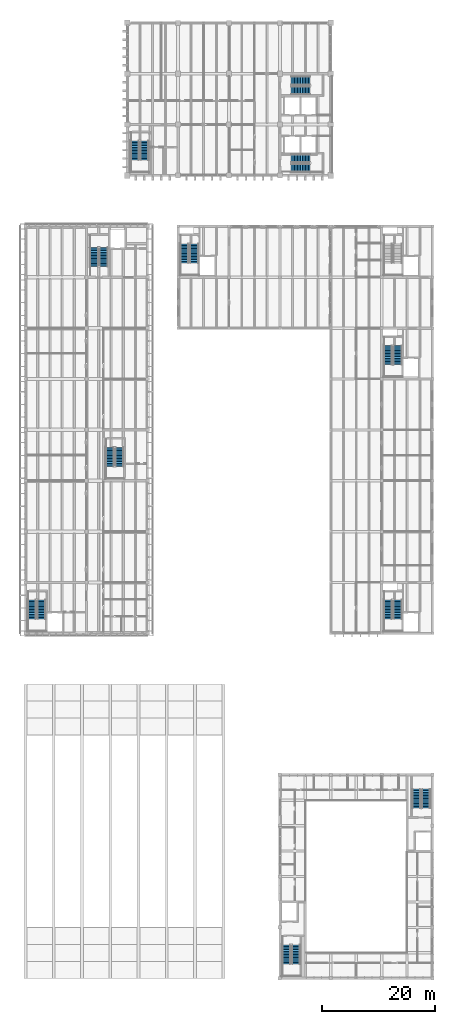
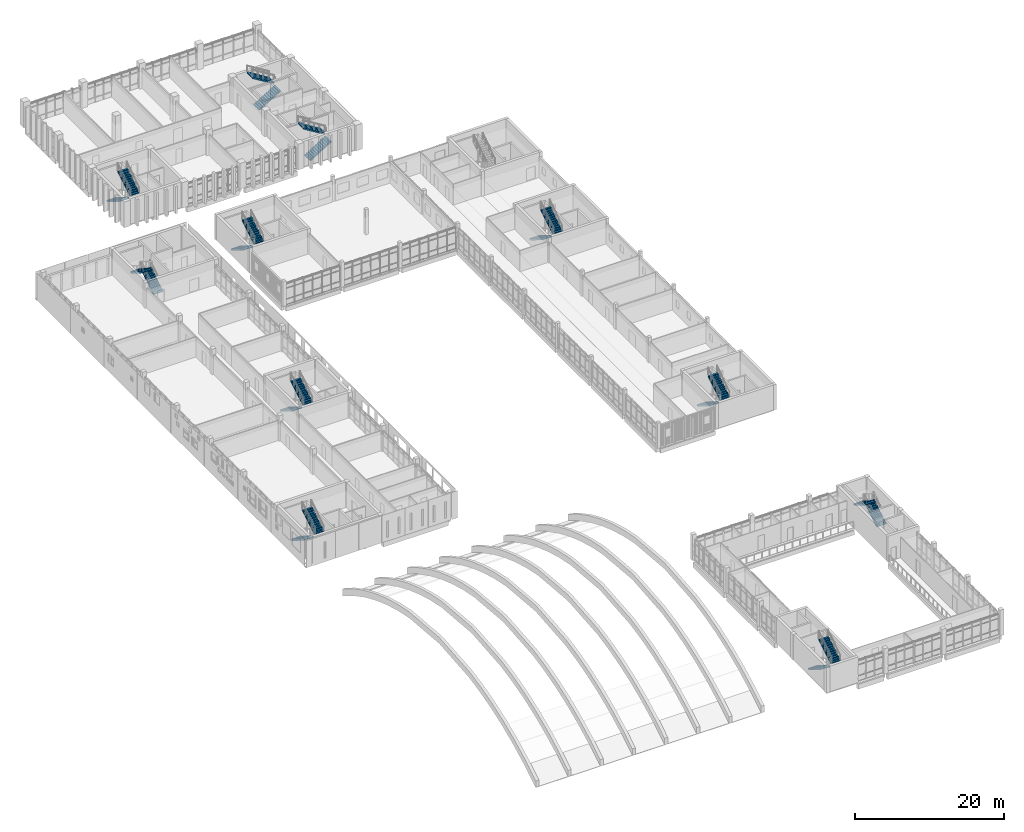
# One storey, part 60 of 88: 22 stair flights, 11 elements without a shape of their own.
"""IFC4 building model written with IfcOpenShell, lengths in metres."""

from ifc_helpers import new_model, si_unit, direction, frame, origin, place, context, subcontext, project, spatial, polyline, outline, extrude, material, type_object, element, aggregate, save


model = new_model("IFC4")

# Units and contexts
model_context = context("Model", 3, precision=1e-05, world=origin(), true_north=direction((0.0, 1.0)))
body_context = subcontext(model_context, "Body", "Model", "MODEL_VIEW")
ifc_project = project(units=[si_unit("LENGTHUNIT", "METRE"), si_unit("AREAUNIT", "SQUARE_METRE"), si_unit("VOLUMEUNIT", "CUBIC_METRE"), si_unit("PLANEANGLEUNIT", "RADIAN"), si_unit("MASSUNIT", "GRAM", prefix="KILO")], contexts=[model_context])

# Site, building, storey
site_placement = place(None, origin())
site = spatial("IfcSite", under=ifc_project, at=site_placement, CompositionType="ELEMENT")
building_placement = place(site_placement, origin())
building = spatial("IfcBuilding", under=site, at=building_placement, Name="Merrow Basin Faculty of Sciences", CompositionType="ELEMENT")
storey_placement = place(building_placement, frame((0.0, 0.0, 9.0)))
storey = spatial("IfcBuildingStorey", under=building, at=storey_placement, Name="L02", CompositionType="ELEMENT", Elevation=9.0)

# Stair, stair flights
ifc_material_1 = material(Name="Concrete C40/50", Category="concrete")
stair_type = type_object("IfcStairType", Name="Concrete dog-leg stair Concrete C40/50", PredefinedType="HALF_TURN_STAIR", material=ifc_material_1)
stair_1_placement = place(storey_placement, origin())
stair_1 = element("IfcStair", 1, at=stair_1_placement, inside=storey, type_object=stair_type, Name="L02 Exit stair S", PredefinedType="HALF_TURN_STAIR")
ifc_material_2 = material(Name="Concrete C40/50", Category="concrete")
stair_flight_type = type_object("IfcStairFlightType", Name="Concrete stair flight Concrete C40/50", PredefinedType="STRAIGHT", material=ifc_material_2)
stair_flight_1_placement = place(storey_placement, frame((1.14990234375, 66.89990234375, 0.0), z_axis=(0.0, 0.0, 1.0), x_axis=(0.0, -1.0, 0.0)))
stair_flight_1 = element("IfcStairFlight", 2, at=stair_flight_1_placement, type_object=stair_flight_type, Name="ST-V4-S flight 1", NumberOfRisers=13, NumberOfTreads=12, PredefinedType="STRAIGHT", RiserHeight=0.173076923, TreadLength=0.28, context=body_context, shape_type="SweptSolid", body=[
    extrude(outline(polyline([(0.0, 0.0), (0.0, 0.173095703125), (0.280029296875, 0.173095703125), (0.280029296875, 0.34619140625), (0.56005859375, 0.34619140625), (0.56005859375, 0.519287109375), (0.840087890625, 0.519287109375), (0.840087890625, 0.6923828125), (1.1201171875, 0.6923828125), (1.1201171875, 0.865478515625), (1.39990234375, 0.865478515625), (1.39990234375, 1.03857421875), (1.679931640625, 1.03857421875), (1.679931640625, 1.21142578125), (1.9599609375, 1.21142578125), (1.9599609375, 1.384521484375), (2.239990234375, 1.384521484375), (2.239990234375, 1.5576171875), (2.52001953125, 1.5576171875), (2.52001953125, 1.730712890625), (2.800048828125, 1.730712890625), (2.800048828125, 1.90380859375), (3.080078125, 1.90380859375), (3.080078125, 2.076904296875), (3.360107421875, 2.076904296875), (3.360107421875, 2.25), (3.360107421875, 1.900634765625), (0.28515625, 0.0), (0.0, 0.0)])), frame((0.0, 0.75, 0.0), z_axis=(0.0, -1.0, 0.0), x_axis=(1.0, 0.0, 0.0)), (0.0, 0.0, 1.0), 1.5),
])
stair_flight_2_placement = place(storey_placement, frame((2.85009765625, 63.5400390625, 2.25), z_axis=(0.0, 0.0, 1.0), x_axis=(0.0, 1.0, 0.0)))
stair_flight_2 = element("IfcStairFlight", 3, at=stair_flight_2_placement, type_object=stair_flight_type, Name="ST-V4-S flight 2", NumberOfRisers=13, NumberOfTreads=12, PredefinedType="STRAIGHT", RiserHeight=0.173076923, TreadLength=0.28, context=body_context, shape_type="SweptSolid", body=[
    extrude(outline(polyline([(0.0, 0.0), (0.0, 0.173095703125), (0.280029296875, 0.173095703125), (0.280029296875, 0.34619140625), (0.56005859375, 0.34619140625), (0.56005859375, 0.519287109375), (0.840087890625, 0.519287109375), (0.840087890625, 0.6923828125), (1.1201171875, 0.6923828125), (1.1201171875, 0.865478515625), (1.39990234375, 0.865478515625), (1.39990234375, 1.03857421875), (1.679931640625, 1.03857421875), (1.679931640625, 1.21142578125), (1.9599609375, 1.21142578125), (1.9599609375, 1.384521484375), (2.239990234375, 1.384521484375), (2.239990234375, 1.5576171875), (2.52001953125, 1.5576171875), (2.52001953125, 1.730712890625), (2.800048828125, 1.730712890625), (2.800048828125, 1.90380859375), (3.080078125, 1.90380859375), (3.080078125, 2.076904296875), (3.360107421875, 2.076904296875), (3.360107421875, 2.25), (3.360107421875, 1.900634765625), (0.28515625, 0.0), (0.0, 0.0)])), frame((0.0, 0.75, 0.0), z_axis=(0.0, -1.0, 0.0), x_axis=(1.0, 0.0, 0.0)), (0.0, 0.0, 1.0), 1.5),
])
aggregate(stair_1, [stair_flight_1, stair_flight_2])

stair_2_placement = place(storey_placement, origin())
stair_2 = element("IfcStair", 4, at=stair_2_placement, inside=storey, type_object=stair_type, Name="L02 Exit stair M", PredefinedType="HALF_TURN_STAIR")
stair_flight_3_placement = place(storey_placement, frame((14.949951171875, 93.89990234375, 0.0), z_axis=(0.0, 0.0, 1.0), x_axis=(0.0, -1.0, 0.0)))
stair_flight_3 = element("IfcStairFlight", 5, at=stair_flight_3_placement, type_object=stair_flight_type, Name="ST-V4-M flight 1", NumberOfRisers=13, NumberOfTreads=12, PredefinedType="STRAIGHT", RiserHeight=0.173076923, TreadLength=0.28, context=body_context, shape_type="SweptSolid", body=[
    extrude(outline(polyline([(0.0, 0.0), (0.0, 0.173095703125), (0.280029296875, 0.173095703125), (0.280029296875, 0.34619140625), (0.56005859375, 0.34619140625), (0.56005859375, 0.519287109375), (0.840087890625, 0.519287109375), (0.840087890625, 0.6923828125), (1.1201171875, 0.6923828125), (1.1201171875, 0.865478515625), (1.39990234375, 0.865478515625), (1.39990234375, 1.03857421875), (1.679931640625, 1.03857421875), (1.679931640625, 1.21142578125), (1.9599609375, 1.21142578125), (1.9599609375, 1.384521484375), (2.239990234375, 1.384521484375), (2.239990234375, 1.5576171875), (2.52001953125, 1.5576171875), (2.52001953125, 1.730712890625), (2.800048828125, 1.730712890625), (2.800048828125, 1.90380859375), (3.080078125, 1.90380859375), (3.080078125, 2.076904296875), (3.360107421875, 2.076904296875), (3.360107421875, 2.25), (3.360107421875, 1.900634765625), (0.28515625, 0.0), (0.0, 0.0)])), frame((0.0, 0.75, 0.0), z_axis=(0.0, -1.0, 0.0), x_axis=(1.0, 0.0, 0.0)), (0.0, 0.0, 1.0), 1.5),
])
stair_flight_4_placement = place(storey_placement, frame((16.64990234375, 90.5400390625, 2.25), z_axis=(0.0, 0.0, 1.0), x_axis=(0.0, 1.0, 0.0)))
stair_flight_4 = element("IfcStairFlight", 6, at=stair_flight_4_placement, type_object=stair_flight_type, Name="ST-V4-M flight 2", NumberOfRisers=13, NumberOfTreads=12, PredefinedType="STRAIGHT", RiserHeight=0.173076923, TreadLength=0.28, context=body_context, shape_type="SweptSolid", body=[
    extrude(outline(polyline([(0.0, 0.0), (0.0, 0.173095703125), (0.280029296875, 0.173095703125), (0.280029296875, 0.34619140625), (0.56005859375, 0.34619140625), (0.56005859375, 0.519287109375), (0.840087890625, 0.519287109375), (0.840087890625, 0.6923828125), (1.1201171875, 0.6923828125), (1.1201171875, 0.865478515625), (1.39990234375, 0.865478515625), (1.39990234375, 1.03857421875), (1.679931640625, 1.03857421875), (1.679931640625, 1.21142578125), (1.9599609375, 1.21142578125), (1.9599609375, 1.384521484375), (2.239990234375, 1.384521484375), (2.239990234375, 1.5576171875), (2.52001953125, 1.5576171875), (2.52001953125, 1.730712890625), (2.800048828125, 1.730712890625), (2.800048828125, 1.90380859375), (3.080078125, 1.90380859375), (3.080078125, 2.076904296875), (3.360107421875, 2.076904296875), (3.360107421875, 2.25), (3.360107421875, 1.900634765625), (0.28515625, 0.0), (0.0, 0.0)])), frame((0.0, 0.75, 0.0), z_axis=(0.0, -1.0, 0.0), x_axis=(1.0, 0.0, 0.0)), (0.0, 0.0, 1.0), 1.5),
])
aggregate(stair_2, [stair_flight_3, stair_flight_4])

stair_3_placement = place(storey_placement, origin())
stair_3 = element("IfcStair", 7, at=stair_3_placement, inside=storey, type_object=stair_type, Name="L02 Exit stair N", PredefinedType="HALF_TURN_STAIR")
stair_flight_5_placement = place(storey_placement, frame((13.85009765625, 125.89990234375, 0.0), z_axis=(0.0, 0.0, 1.0), x_axis=(0.0, 1.0, 0.0)))
stair_flight_5 = element("IfcStairFlight", 8, at=stair_flight_5_placement, type_object=stair_flight_type, Name="ST-V4-N flight 1", NumberOfRisers=13, NumberOfTreads=12, PredefinedType="STRAIGHT", RiserHeight=0.173076923, TreadLength=0.28, context=body_context, shape_type="SweptSolid", body=[
    extrude(outline(polyline([(0.0, 0.0), (0.0, 0.173095703125), (0.280029296875, 0.173095703125), (0.280029296875, 0.34619140625), (0.56005859375, 0.34619140625), (0.56005859375, 0.519287109375), (0.840087890625, 0.519287109375), (0.840087890625, 0.6923828125), (1.1201171875, 0.6923828125), (1.1201171875, 0.865478515625), (1.39990234375, 0.865478515625), (1.39990234375, 1.03857421875), (1.679931640625, 1.03857421875), (1.679931640625, 1.21142578125), (1.9599609375, 1.21142578125), (1.9599609375, 1.384521484375), (2.239990234375, 1.384521484375), (2.239990234375, 1.5576171875), (2.52001953125, 1.5576171875), (2.52001953125, 1.730712890625), (2.800048828125, 1.730712890625), (2.800048828125, 1.90380859375), (3.080078125, 1.90380859375), (3.080078125, 2.076904296875), (3.360107421875, 2.076904296875), (3.360107421875, 2.25), (3.360107421875, 1.900634765625), (0.28515625, 0.0), (0.0, 0.0)])), frame((0.0, 0.75, 0.0), z_axis=(0.0, -1.0, 0.0), x_axis=(1.0, 0.0, 0.0)), (0.0, 0.0, 1.0), 1.5),
])
stair_flight_6_placement = place(storey_placement, frame((12.14990234375, 129.260009765625, 2.25), z_axis=(0.0, 0.0, 1.0), x_axis=(0.0, -1.0, 0.0)))
stair_flight_6 = element("IfcStairFlight", 9, at=stair_flight_6_placement, type_object=stair_flight_type, Name="ST-V4-N flight 2", NumberOfRisers=13, NumberOfTreads=12, PredefinedType="STRAIGHT", RiserHeight=0.173076923, TreadLength=0.28, context=body_context, shape_type="SweptSolid", body=[
    extrude(outline(polyline([(0.0, 0.0), (0.0, 0.173095703125), (0.280029296875, 0.173095703125), (0.280029296875, 0.34619140625), (0.56005859375, 0.34619140625), (0.56005859375, 0.519287109375), (0.840087890625, 0.519287109375), (0.840087890625, 0.6923828125), (1.1201171875, 0.6923828125), (1.1201171875, 0.865478515625), (1.39990234375, 0.865478515625), (1.39990234375, 1.03857421875), (1.679931640625, 1.03857421875), (1.679931640625, 1.21142578125), (1.9599609375, 1.21142578125), (1.9599609375, 1.384521484375), (2.239990234375, 1.384521484375), (2.239990234375, 1.5576171875), (2.52001953125, 1.5576171875), (2.52001953125, 1.730712890625), (2.800048828125, 1.730712890625), (2.800048828125, 1.90380859375), (3.080078125, 1.90380859375), (3.080078125, 2.076904296875), (3.360107421875, 2.076904296875), (3.360107421875, 2.25), (3.360107421875, 1.900634765625), (0.28515625, 0.0), (0.0, 0.0)])), frame((0.0, 0.75, 0.0), z_axis=(0.0, -1.0, 0.0), x_axis=(1.0, 0.0, 0.0)), (0.0, 0.0, 1.0), 1.5),
])
aggregate(stair_3, [stair_flight_5, stair_flight_6])

stair_4_placement = place(storey_placement, origin())
stair_4 = element("IfcStair", 10, at=stair_4_placement, inside=storey, type_object=stair_type, Name="L02 Exit stair W", PredefinedType="HALF_TURN_STAIR")
stair_flight_7_placement = place(storey_placement, frame((28.14990234375, 129.89990234375, 0.0), z_axis=(0.0, 0.0, 1.0), x_axis=(0.0, -1.0, 0.0)))
stair_flight_7 = element("IfcStairFlight", 11, at=stair_flight_7_placement, type_object=stair_flight_type, Name="ST-V2-W flight 1", NumberOfRisers=13, NumberOfTreads=12, PredefinedType="STRAIGHT", RiserHeight=0.173076923, TreadLength=0.28, context=body_context, shape_type="SweptSolid", body=[
    extrude(outline(polyline([(0.0, 0.0), (0.0, 0.173095703125), (0.280029296875, 0.173095703125), (0.280029296875, 0.34619140625), (0.56005859375, 0.34619140625), (0.56005859375, 0.519287109375), (0.840087890625, 0.519287109375), (0.840087890625, 0.6923828125), (1.1201171875, 0.6923828125), (1.1201171875, 0.865478515625), (1.39990234375, 0.865478515625), (1.39990234375, 1.03857421875), (1.679931640625, 1.03857421875), (1.679931640625, 1.21142578125), (1.9599609375, 1.21142578125), (1.9599609375, 1.384521484375), (2.239990234375, 1.384521484375), (2.239990234375, 1.5576171875), (2.52001953125, 1.5576171875), (2.52001953125, 1.730712890625), (2.800048828125, 1.730712890625), (2.800048828125, 1.90380859375), (3.080078125, 1.90380859375), (3.080078125, 2.076904296875), (3.360107421875, 2.076904296875), (3.360107421875, 2.25), (3.360107421875, 1.900634765625), (0.28515625, 0.0), (0.0, 0.0)])), frame((0.0, 0.75, 0.0), z_axis=(0.0, -1.0, 0.0), x_axis=(1.0, 0.0, 0.0)), (0.0, 0.0, 1.0), 1.5),
])
stair_flight_8_placement = place(storey_placement, frame((29.85009765625, 126.5400390625, 2.25), z_axis=(0.0, 0.0, 1.0), x_axis=(0.0, 1.0, 0.0)))
stair_flight_8 = element("IfcStairFlight", 12, at=stair_flight_8_placement, type_object=stair_flight_type, Name="ST-V2-W flight 2", NumberOfRisers=13, NumberOfTreads=12, PredefinedType="STRAIGHT", RiserHeight=0.173076923, TreadLength=0.28, context=body_context, shape_type="SweptSolid", body=[
    extrude(outline(polyline([(0.0, 0.0), (0.0, 0.173095703125), (0.280029296875, 0.173095703125), (0.280029296875, 0.34619140625), (0.56005859375, 0.34619140625), (0.56005859375, 0.519287109375), (0.840087890625, 0.519287109375), (0.840087890625, 0.6923828125), (1.1201171875, 0.6923828125), (1.1201171875, 0.865478515625), (1.39990234375, 0.865478515625), (1.39990234375, 1.03857421875), (1.679931640625, 1.03857421875), (1.679931640625, 1.21142578125), (1.9599609375, 1.21142578125), (1.9599609375, 1.384521484375), (2.239990234375, 1.384521484375), (2.239990234375, 1.5576171875), (2.52001953125, 1.5576171875), (2.52001953125, 1.730712890625), (2.800048828125, 1.730712890625), (2.800048828125, 1.90380859375), (3.080078125, 1.90380859375), (3.080078125, 2.076904296875), (3.360107421875, 2.076904296875), (3.360107421875, 2.25), (3.360107421875, 1.900634765625), (0.28515625, 0.0), (0.0, 0.0)])), frame((0.0, 0.75, 0.0), z_axis=(0.0, -1.0, 0.0), x_axis=(1.0, 0.0, 0.0)), (0.0, 0.0, 1.0), 1.5),
])
aggregate(stair_4, [stair_flight_7, stair_flight_8])

stair_5_placement = place(storey_placement, origin())
stair_5 = element("IfcStair", 13, at=stair_5_placement, inside=storey, type_object=stair_type, Name="L02 Exit stair S", PredefinedType="HALF_TURN_STAIR")
stair_flight_9_placement = place(storey_placement, frame((64.14990234375, 66.89990234375, 0.0), z_axis=(0.0, 0.0, 1.0), x_axis=(0.0, -1.0, 0.0)))
stair_flight_9 = element("IfcStairFlight", 14, at=stair_flight_9_placement, type_object=stair_flight_type, Name="ST-V2-S flight 1", NumberOfRisers=13, NumberOfTreads=12, PredefinedType="STRAIGHT", RiserHeight=0.173076923, TreadLength=0.28, context=body_context, shape_type="SweptSolid", body=[
    extrude(outline(polyline([(0.0, 0.0), (0.0, 0.173095703125), (0.280029296875, 0.173095703125), (0.280029296875, 0.34619140625), (0.56005859375, 0.34619140625), (0.56005859375, 0.519287109375), (0.840087890625, 0.519287109375), (0.840087890625, 0.6923828125), (1.1201171875, 0.6923828125), (1.1201171875, 0.865478515625), (1.39990234375, 0.865478515625), (1.39990234375, 1.03857421875), (1.679931640625, 1.03857421875), (1.679931640625, 1.21142578125), (1.9599609375, 1.21142578125), (1.9599609375, 1.384521484375), (2.239990234375, 1.384521484375), (2.239990234375, 1.5576171875), (2.52001953125, 1.5576171875), (2.52001953125, 1.730712890625), (2.800048828125, 1.730712890625), (2.800048828125, 1.90380859375), (3.080078125, 1.90380859375), (3.080078125, 2.076904296875), (3.360107421875, 2.076904296875), (3.360107421875, 2.25), (3.360107421875, 1.900634765625), (0.28515625, 0.0), (0.0, 0.0)])), frame((0.0, 0.75, 0.0), z_axis=(0.0, -1.0, 0.0), x_axis=(1.0, 0.0, 0.0)), (0.0, 0.0, 1.0), 1.5),
])
stair_flight_10_placement = place(storey_placement, frame((65.85009765625, 63.5400390625, 2.25), z_axis=(0.0, 0.0, 1.0), x_axis=(0.0, 1.0, 0.0)))
stair_flight_10 = element("IfcStairFlight", 15, at=stair_flight_10_placement, type_object=stair_flight_type, Name="ST-V2-S flight 2", NumberOfRisers=13, NumberOfTreads=12, PredefinedType="STRAIGHT", RiserHeight=0.173076923, TreadLength=0.28, context=body_context, shape_type="SweptSolid", body=[
    extrude(outline(polyline([(0.0, 0.0), (0.0, 0.173095703125), (0.280029296875, 0.173095703125), (0.280029296875, 0.34619140625), (0.56005859375, 0.34619140625), (0.56005859375, 0.519287109375), (0.840087890625, 0.519287109375), (0.840087890625, 0.6923828125), (1.1201171875, 0.6923828125), (1.1201171875, 0.865478515625), (1.39990234375, 0.865478515625), (1.39990234375, 1.03857421875), (1.679931640625, 1.03857421875), (1.679931640625, 1.21142578125), (1.9599609375, 1.21142578125), (1.9599609375, 1.384521484375), (2.239990234375, 1.384521484375), (2.239990234375, 1.5576171875), (2.52001953125, 1.5576171875), (2.52001953125, 1.730712890625), (2.800048828125, 1.730712890625), (2.800048828125, 1.90380859375), (3.080078125, 1.90380859375), (3.080078125, 2.076904296875), (3.360107421875, 2.076904296875), (3.360107421875, 2.25), (3.360107421875, 1.900634765625), (0.28515625, 0.0), (0.0, 0.0)])), frame((0.0, 0.75, 0.0), z_axis=(0.0, -1.0, 0.0), x_axis=(1.0, 0.0, 0.0)), (0.0, 0.0, 1.0), 1.5),
])
aggregate(stair_5, [stair_flight_9, stair_flight_10])

stair_6_placement = place(storey_placement, origin())
stair_6 = element("IfcStair", 16, at=stair_6_placement, inside=storey, type_object=stair_type, Name="L02 Exit stair M", PredefinedType="HALF_TURN_STAIR")
stair_flight_11_placement = place(storey_placement, frame((64.14990234375, 111.89990234375, 0.0), z_axis=(0.0, 0.0, 1.0), x_axis=(0.0, -1.0, 0.0)))
stair_flight_11 = element("IfcStairFlight", 17, at=stair_flight_11_placement, type_object=stair_flight_type, Name="ST-V2-M flight 1", NumberOfRisers=13, NumberOfTreads=12, PredefinedType="STRAIGHT", RiserHeight=0.173076923, TreadLength=0.28, context=body_context, shape_type="SweptSolid", body=[
    extrude(outline(polyline([(0.0, 0.0), (0.0, 0.173095703125), (0.280029296875, 0.173095703125), (0.280029296875, 0.34619140625), (0.56005859375, 0.34619140625), (0.56005859375, 0.519287109375), (0.840087890625, 0.519287109375), (0.840087890625, 0.6923828125), (1.1201171875, 0.6923828125), (1.1201171875, 0.865478515625), (1.39990234375, 0.865478515625), (1.39990234375, 1.03857421875), (1.679931640625, 1.03857421875), (1.679931640625, 1.21142578125), (1.9599609375, 1.21142578125), (1.9599609375, 1.384521484375), (2.239990234375, 1.384521484375), (2.239990234375, 1.5576171875), (2.52001953125, 1.5576171875), (2.52001953125, 1.730712890625), (2.800048828125, 1.730712890625), (2.800048828125, 1.90380859375), (3.080078125, 1.90380859375), (3.080078125, 2.076904296875), (3.360107421875, 2.076904296875), (3.360107421875, 2.25), (3.360107421875, 1.900634765625), (0.28515625, 0.0), (0.0, 0.0)])), frame((0.0, 0.75, 0.0), z_axis=(0.0, -1.0, 0.0), x_axis=(1.0, 0.0, 0.0)), (0.0, 0.0, 1.0), 1.5),
])
stair_flight_12_placement = place(storey_placement, frame((65.85009765625, 108.5400390625, 2.25), z_axis=(0.0, 0.0, 1.0), x_axis=(0.0, 1.0, 0.0)))
stair_flight_12 = element("IfcStairFlight", 18, at=stair_flight_12_placement, type_object=stair_flight_type, Name="ST-V2-M flight 2", NumberOfRisers=13, NumberOfTreads=12, PredefinedType="STRAIGHT", RiserHeight=0.173076923, TreadLength=0.28, context=body_context, shape_type="SweptSolid", body=[
    extrude(outline(polyline([(0.0, 0.0), (0.0, 0.173095703125), (0.280029296875, 0.173095703125), (0.280029296875, 0.34619140625), (0.56005859375, 0.34619140625), (0.56005859375, 0.519287109375), (0.840087890625, 0.519287109375), (0.840087890625, 0.6923828125), (1.1201171875, 0.6923828125), (1.1201171875, 0.865478515625), (1.39990234375, 0.865478515625), (1.39990234375, 1.03857421875), (1.679931640625, 1.03857421875), (1.679931640625, 1.21142578125), (1.9599609375, 1.21142578125), (1.9599609375, 1.384521484375), (2.239990234375, 1.384521484375), (2.239990234375, 1.5576171875), (2.52001953125, 1.5576171875), (2.52001953125, 1.730712890625), (2.800048828125, 1.730712890625), (2.800048828125, 1.90380859375), (3.080078125, 1.90380859375), (3.080078125, 2.076904296875), (3.360107421875, 2.076904296875), (3.360107421875, 2.25), (3.360107421875, 1.900634765625), (0.28515625, 0.0), (0.0, 0.0)])), frame((0.0, 0.75, 0.0), z_axis=(0.0, -1.0, 0.0), x_axis=(1.0, 0.0, 0.0)), (0.0, 0.0, 1.0), 1.5),
])
aggregate(stair_6, [stair_flight_11, stair_flight_12])

stair_7_placement = place(storey_placement, origin())
stair_7 = element("IfcStair", 19, at=stair_7_placement, inside=storey, type_object=stair_type, Name="L02 Exit stair W", PredefinedType="HALF_TURN_STAIR")
stair_flight_13_placement = place(storey_placement, frame((46.14990234375, 5.89990234375, 0.0), z_axis=(0.0, 0.0, 1.0), x_axis=(0.0, -1.0, 0.0)))
stair_flight_13 = element("IfcStairFlight", 20, at=stair_flight_13_placement, type_object=stair_flight_type, Name="ST-V3-W flight 1", NumberOfRisers=13, NumberOfTreads=12, PredefinedType="STRAIGHT", RiserHeight=0.173076923, TreadLength=0.28, context=body_context, shape_type="SweptSolid", body=[
    extrude(outline(polyline([(0.0, 0.0), (0.0, 0.173095703125), (0.280029296875, 0.173095703125), (0.280029296875, 0.34619140625), (0.56005859375, 0.34619140625), (0.56005859375, 0.519287109375), (0.840087890625, 0.519287109375), (0.840087890625, 0.6923828125), (1.1201171875, 0.6923828125), (1.1201171875, 0.865478515625), (1.39990234375, 0.865478515625), (1.39990234375, 1.03857421875), (1.679931640625, 1.03857421875), (1.679931640625, 1.21142578125), (1.9599609375, 1.21142578125), (1.9599609375, 1.384521484375), (2.239990234375, 1.384521484375), (2.239990234375, 1.5576171875), (2.52001953125, 1.5576171875), (2.52001953125, 1.730712890625), (2.800048828125, 1.730712890625), (2.800048828125, 1.90380859375), (3.080078125, 1.90380859375), (3.080078125, 2.076904296875), (3.360107421875, 2.076904296875), (3.360107421875, 2.25), (3.360107421875, 1.900634765625), (0.28515625, 0.0), (0.0, 0.0)])), frame((0.0, 0.75, 0.0), z_axis=(0.0, -1.0, 0.0), x_axis=(1.0, 0.0, 0.0)), (0.0, 0.0, 1.0), 1.5),
])
stair_flight_14_placement = place(storey_placement, frame((47.85009765625, 2.5400390625, 2.25), z_axis=(0.0, 0.0, 1.0), x_axis=(0.0, 1.0, 0.0)))
stair_flight_14 = element("IfcStairFlight", 21, at=stair_flight_14_placement, type_object=stair_flight_type, Name="ST-V3-W flight 2", NumberOfRisers=13, NumberOfTreads=12, PredefinedType="STRAIGHT", RiserHeight=0.173076923, TreadLength=0.28, context=body_context, shape_type="SweptSolid", body=[
    extrude(outline(polyline([(0.0, 0.0), (0.0, 0.173095703125), (0.280029296875, 0.173095703125), (0.280029296875, 0.34619140625), (0.56005859375, 0.34619140625), (0.56005859375, 0.519287109375), (0.840087890625, 0.519287109375), (0.840087890625, 0.6923828125), (1.1201171875, 0.6923828125), (1.1201171875, 0.865478515625), (1.39990234375, 0.865478515625), (1.39990234375, 1.03857421875), (1.679931640625, 1.03857421875), (1.679931640625, 1.21142578125), (1.9599609375, 1.21142578125), (1.9599609375, 1.384521484375), (2.239990234375, 1.384521484375), (2.239990234375, 1.5576171875), (2.52001953125, 1.5576171875), (2.52001953125, 1.730712890625), (2.800048828125, 1.730712890625), (2.800048828125, 1.90380859375), (3.080078125, 1.90380859375), (3.080078125, 2.076904296875), (3.360107421875, 2.076904296875), (3.360107421875, 2.25), (3.360107421875, 1.900634765625), (0.28515625, 0.0), (0.0, 0.0)])), frame((0.0, 0.75, 0.0), z_axis=(0.0, -1.0, 0.0), x_axis=(1.0, 0.0, 0.0)), (0.0, 0.0, 1.0), 1.5),
])
aggregate(stair_7, [stair_flight_13, stair_flight_14])

stair_8_placement = place(storey_placement, origin())
stair_8 = element("IfcStair", 22, at=stair_8_placement, inside=storey, type_object=stair_type, Name="L02 Exit stair E", PredefinedType="HALF_TURN_STAIR")
stair_flight_15_placement = place(storey_placement, frame((70.85009765625, 30.10009765625, 0.0), z_axis=(0.0, 0.0, 1.0), x_axis=(0.0, 1.0, 0.0)))
stair_flight_15 = element("IfcStairFlight", 23, at=stair_flight_15_placement, type_object=stair_flight_type, Name="ST-V3-E flight 1", NumberOfRisers=13, NumberOfTreads=12, PredefinedType="STRAIGHT", RiserHeight=0.173076923, TreadLength=0.28, context=body_context, shape_type="SweptSolid", body=[
    extrude(outline(polyline([(0.0, 0.0), (0.0, 0.173095703125), (0.280029296875, 0.173095703125), (0.280029296875, 0.34619140625), (0.56005859375, 0.34619140625), (0.56005859375, 0.519287109375), (0.840087890625, 0.519287109375), (0.840087890625, 0.6923828125), (1.1201171875, 0.6923828125), (1.1201171875, 0.865478515625), (1.39990234375, 0.865478515625), (1.39990234375, 1.03857421875), (1.679931640625, 1.03857421875), (1.679931640625, 1.21142578125), (1.9599609375, 1.21142578125), (1.9599609375, 1.384521484375), (2.239990234375, 1.384521484375), (2.239990234375, 1.5576171875), (2.52001953125, 1.5576171875), (2.52001953125, 1.730712890625), (2.800048828125, 1.730712890625), (2.800048828125, 1.90380859375), (3.080078125, 1.90380859375), (3.080078125, 2.076904296875), (3.360107421875, 2.076904296875), (3.360107421875, 2.25), (3.360107421875, 1.900634765625), (0.28515625, 0.0), (0.0, 0.0)])), frame((0.0, 0.75, 0.0), z_axis=(0.0, -1.0, 0.0), x_axis=(1.0, 0.0, 0.0)), (0.0, 0.0, 1.0), 1.5),
])
stair_flight_16_placement = place(storey_placement, frame((69.14990234375, 33.4599609375, 2.25), z_axis=(0.0, 0.0, 1.0), x_axis=(0.0, -1.0, 0.0)))
stair_flight_16 = element("IfcStairFlight", 24, at=stair_flight_16_placement, type_object=stair_flight_type, Name="ST-V3-E flight 2", NumberOfRisers=13, NumberOfTreads=12, PredefinedType="STRAIGHT", RiserHeight=0.173076923, TreadLength=0.28, context=body_context, shape_type="SweptSolid", body=[
    extrude(outline(polyline([(0.0, 0.0), (0.0, 0.173095703125), (0.280029296875, 0.173095703125), (0.280029296875, 0.34619140625), (0.56005859375, 0.34619140625), (0.56005859375, 0.519287109375), (0.840087890625, 0.519287109375), (0.840087890625, 0.6923828125), (1.1201171875, 0.6923828125), (1.1201171875, 0.865478515625), (1.39990234375, 0.865478515625), (1.39990234375, 1.03857421875), (1.679931640625, 1.03857421875), (1.679931640625, 1.21142578125), (1.9599609375, 1.21142578125), (1.9599609375, 1.384521484375), (2.239990234375, 1.384521484375), (2.239990234375, 1.5576171875), (2.52001953125, 1.5576171875), (2.52001953125, 1.730712890625), (2.800048828125, 1.730712890625), (2.800048828125, 1.90380859375), (3.080078125, 1.90380859375), (3.080078125, 2.076904296875), (3.360107421875, 2.076904296875), (3.360107421875, 2.25), (3.360107421875, 1.900634765625), (0.28515625, 0.0), (0.0, 0.0)])), frame((0.0, 0.75, 0.0), z_axis=(0.0, -1.0, 0.0), x_axis=(1.0, 0.0, 0.0)), (0.0, 0.0, 1.0), 1.5),
])
aggregate(stair_8, [stair_flight_15, stair_flight_16])

stair_9_placement = place(storey_placement, origin())
stair_9 = element("IfcStair", 25, at=stair_9_placement, inside=storey, type_object=stair_type, Name="L02 Exit stair S", PredefinedType="HALF_TURN_STAIR")
stair_flight_17_placement = place(storey_placement, frame((47.0, 157.050048828125, 0.0), z_axis=(0.0, 0.0, 1.0), x_axis=(1.0, 0.0, 0.0)))
stair_flight_17 = element("IfcStairFlight", 26, at=stair_flight_17_placement, type_object=stair_flight_type, Name="ST-V5-S flight 1", NumberOfRisers=13, NumberOfTreads=12, PredefinedType="STRAIGHT", RiserHeight=0.173076923, TreadLength=0.28, context=body_context, shape_type="SweptSolid", body=[
    extrude(outline(polyline([(0.0, 0.0), (0.0, 0.173095703125), (0.280029296875, 0.173095703125), (0.280029296875, 0.34619140625), (0.56005859375, 0.34619140625), (0.56005859375, 0.519287109375), (0.840087890625, 0.519287109375), (0.840087890625, 0.6923828125), (1.1201171875, 0.6923828125), (1.1201171875, 0.865478515625), (1.39990234375, 0.865478515625), (1.39990234375, 1.03857421875), (1.679931640625, 1.03857421875), (1.679931640625, 1.21142578125), (1.9599609375, 1.21142578125), (1.9599609375, 1.384521484375), (2.239990234375, 1.384521484375), (2.239990234375, 1.5576171875), (2.52001953125, 1.5576171875), (2.52001953125, 1.730712890625), (2.800048828125, 1.730712890625), (2.800048828125, 1.90380859375), (3.080078125, 1.90380859375), (3.080078125, 2.076904296875), (3.360107421875, 2.076904296875), (3.360107421875, 2.25), (3.360107421875, 1.900634765625), (0.28515625, 0.0), (0.0, 0.0)])), frame((0.0, 0.75, 0.0), z_axis=(0.0, -1.0, 0.0), x_axis=(1.0, 0.0, 0.0)), (0.0, 0.0, 1.0), 1.5),
])
stair_flight_18_placement = place(storey_placement, frame((50.360107421875, 158.75, 2.25), z_axis=(0.0, 0.0, 1.0), x_axis=(-1.0, 0.0, 0.0)))
stair_flight_18 = element("IfcStairFlight", 27, at=stair_flight_18_placement, type_object=stair_flight_type, Name="ST-V5-S flight 2", NumberOfRisers=13, NumberOfTreads=12, PredefinedType="STRAIGHT", RiserHeight=0.173076923, TreadLength=0.28, context=body_context, shape_type="SweptSolid", body=[
    extrude(outline(polyline([(0.0, 0.0), (0.0, 0.173095703125), (0.280029296875, 0.173095703125), (0.280029296875, 0.34619140625), (0.56005859375, 0.34619140625), (0.56005859375, 0.519287109375), (0.840087890625, 0.519287109375), (0.840087890625, 0.6923828125), (1.1201171875, 0.6923828125), (1.1201171875, 0.865478515625), (1.39990234375, 0.865478515625), (1.39990234375, 1.03857421875), (1.679931640625, 1.03857421875), (1.679931640625, 1.21142578125), (1.9599609375, 1.21142578125), (1.9599609375, 1.384521484375), (2.239990234375, 1.384521484375), (2.239990234375, 1.5576171875), (2.52001953125, 1.5576171875), (2.52001953125, 1.730712890625), (2.800048828125, 1.730712890625), (2.800048828125, 1.90380859375), (3.080078125, 1.90380859375), (3.080078125, 2.076904296875), (3.360107421875, 2.076904296875), (3.360107421875, 2.25), (3.360107421875, 1.900634765625), (0.28515625, 0.0), (0.0, 0.0)])), frame((0.0, 0.75, 0.0), z_axis=(0.0, -1.0, 0.0), x_axis=(1.0, 0.0, 0.0)), (0.0, 0.0, 1.0), 1.5),
])
aggregate(stair_9, [stair_flight_17, stair_flight_18])

stair_10_placement = place(storey_placement, origin())
stair_10 = element("IfcStair", 28, at=stair_10_placement, inside=storey, type_object=stair_type, Name="L02 Exit stair N", PredefinedType="HALF_TURN_STAIR")
stair_flight_19_placement = place(storey_placement, frame((47.0, 143.35009765625, 0.0), z_axis=(0.0, 0.0, 1.0), x_axis=(1.0, 0.0, 0.0)))
stair_flight_19 = element("IfcStairFlight", 29, at=stair_flight_19_placement, type_object=stair_flight_type, Name="ST-V5-N flight 1", NumberOfRisers=13, NumberOfTreads=12, PredefinedType="STRAIGHT", RiserHeight=0.173076923, TreadLength=0.28, context=body_context, shape_type="SweptSolid", body=[
    extrude(outline(polyline([(0.0, 0.0), (0.0, 0.173095703125), (0.280029296875, 0.173095703125), (0.280029296875, 0.34619140625), (0.56005859375, 0.34619140625), (0.56005859375, 0.519287109375), (0.840087890625, 0.519287109375), (0.840087890625, 0.6923828125), (1.1201171875, 0.6923828125), (1.1201171875, 0.865478515625), (1.39990234375, 0.865478515625), (1.39990234375, 1.03857421875), (1.679931640625, 1.03857421875), (1.679931640625, 1.21142578125), (1.9599609375, 1.21142578125), (1.9599609375, 1.384521484375), (2.239990234375, 1.384521484375), (2.239990234375, 1.5576171875), (2.52001953125, 1.5576171875), (2.52001953125, 1.730712890625), (2.800048828125, 1.730712890625), (2.800048828125, 1.90380859375), (3.080078125, 1.90380859375), (3.080078125, 2.076904296875), (3.360107421875, 2.076904296875), (3.360107421875, 2.25), (3.360107421875, 1.900634765625), (0.28515625, 0.0), (0.0, 0.0)])), frame((0.0, 0.75, 0.0), z_axis=(0.0, -1.0, 0.0), x_axis=(1.0, 0.0, 0.0)), (0.0, 0.0, 1.0), 1.5),
])
stair_flight_20_placement = place(storey_placement, frame((50.360107421875, 145.050048828125, 2.25), z_axis=(0.0, 0.0, 1.0), x_axis=(-1.0, 0.0, 0.0)))
stair_flight_20 = element("IfcStairFlight", 30, at=stair_flight_20_placement, type_object=stair_flight_type, Name="ST-V5-N flight 2", NumberOfRisers=13, NumberOfTreads=12, PredefinedType="STRAIGHT", RiserHeight=0.173076923, TreadLength=0.28, context=body_context, shape_type="SweptSolid", body=[
    extrude(outline(polyline([(0.0, 0.0), (0.0, 0.173095703125), (0.280029296875, 0.173095703125), (0.280029296875, 0.34619140625), (0.56005859375, 0.34619140625), (0.56005859375, 0.519287109375), (0.840087890625, 0.519287109375), (0.840087890625, 0.6923828125), (1.1201171875, 0.6923828125), (1.1201171875, 0.865478515625), (1.39990234375, 0.865478515625), (1.39990234375, 1.03857421875), (1.679931640625, 1.03857421875), (1.679931640625, 1.21142578125), (1.9599609375, 1.21142578125), (1.9599609375, 1.384521484375), (2.239990234375, 1.384521484375), (2.239990234375, 1.5576171875), (2.52001953125, 1.5576171875), (2.52001953125, 1.730712890625), (2.800048828125, 1.730712890625), (2.800048828125, 1.90380859375), (3.080078125, 1.90380859375), (3.080078125, 2.076904296875), (3.360107421875, 2.076904296875), (3.360107421875, 2.25), (3.360107421875, 1.900634765625), (0.28515625, 0.0), (0.0, 0.0)])), frame((0.0, 0.75, 0.0), z_axis=(0.0, -1.0, 0.0), x_axis=(1.0, 0.0, 0.0)), (0.0, 0.0, 1.0), 1.5),
])
aggregate(stair_10, [stair_flight_19, stair_flight_20])

stair_11_placement = place(storey_placement, origin())
stair_11 = element("IfcStair", 31, at=stair_11_placement, inside=storey, type_object=stair_type, Name="L02 Exit stair W", PredefinedType="HALF_TURN_STAIR")
stair_flight_21_placement = place(storey_placement, frame((19.35009765625, 148.10009765625, 0.0), z_axis=(0.0, 0.0, 1.0), x_axis=(0.0, -1.0, 0.0)))
stair_flight_21 = element("IfcStairFlight", 32, at=stair_flight_21_placement, type_object=stair_flight_type, Name="ST-V5-W flight 1", NumberOfRisers=13, NumberOfTreads=12, PredefinedType="STRAIGHT", RiserHeight=0.173076923, TreadLength=0.28, context=body_context, shape_type="SweptSolid", body=[
    extrude(outline(polyline([(0.0, 0.0), (0.0, 0.173095703125), (0.280029296875, 0.173095703125), (0.280029296875, 0.34619140625), (0.56005859375, 0.34619140625), (0.56005859375, 0.519287109375), (0.840087890625, 0.519287109375), (0.840087890625, 0.6923828125), (1.1201171875, 0.6923828125), (1.1201171875, 0.865478515625), (1.39990234375, 0.865478515625), (1.39990234375, 1.03857421875), (1.679931640625, 1.03857421875), (1.679931640625, 1.21142578125), (1.9599609375, 1.21142578125), (1.9599609375, 1.384521484375), (2.239990234375, 1.384521484375), (2.239990234375, 1.5576171875), (2.52001953125, 1.5576171875), (2.52001953125, 1.730712890625), (2.800048828125, 1.730712890625), (2.800048828125, 1.90380859375), (3.080078125, 1.90380859375), (3.080078125, 2.076904296875), (3.360107421875, 2.076904296875), (3.360107421875, 2.25), (3.360107421875, 1.900634765625), (0.28515625, 0.0), (0.0, 0.0)])), frame((0.0, 0.75, 0.0), z_axis=(0.0, -1.0, 0.0), x_axis=(1.0, 0.0, 0.0)), (0.0, 0.0, 1.0), 1.5),
])
stair_flight_22_placement = place(storey_placement, frame((21.050048828125, 144.739990234375, 2.25), z_axis=(0.0, 0.0, 1.0), x_axis=(0.0, 1.0, 0.0)))
stair_flight_22 = element("IfcStairFlight", 33, at=stair_flight_22_placement, type_object=stair_flight_type, Name="ST-V5-W flight 2", NumberOfRisers=13, NumberOfTreads=12, PredefinedType="STRAIGHT", RiserHeight=0.173076923, TreadLength=0.28, context=body_context, shape_type="SweptSolid", body=[
    extrude(outline(polyline([(0.0, 0.0), (0.0, 0.173095703125), (0.280029296875, 0.173095703125), (0.280029296875, 0.34619140625), (0.56005859375, 0.34619140625), (0.56005859375, 0.519287109375), (0.840087890625, 0.519287109375), (0.840087890625, 0.6923828125), (1.1201171875, 0.6923828125), (1.1201171875, 0.865478515625), (1.39990234375, 0.865478515625), (1.39990234375, 1.03857421875), (1.679931640625, 1.03857421875), (1.679931640625, 1.21142578125), (1.9599609375, 1.21142578125), (1.9599609375, 1.384521484375), (2.239990234375, 1.384521484375), (2.239990234375, 1.5576171875), (2.52001953125, 1.5576171875), (2.52001953125, 1.730712890625), (2.800048828125, 1.730712890625), (2.800048828125, 1.90380859375), (3.080078125, 1.90380859375), (3.080078125, 2.076904296875), (3.360107421875, 2.076904296875), (3.360107421875, 2.25), (3.360107421875, 1.900634765625), (0.28515625, 0.0), (0.0, 0.0)])), frame((0.0, 0.75, 0.0), z_axis=(0.0, -1.0, 0.0), x_axis=(1.0, 0.0, 0.0)), (0.0, 0.0, 1.0), 1.5),
])
aggregate(stair_11, [stair_flight_21, stair_flight_22])

save(model, "model.ifc")
